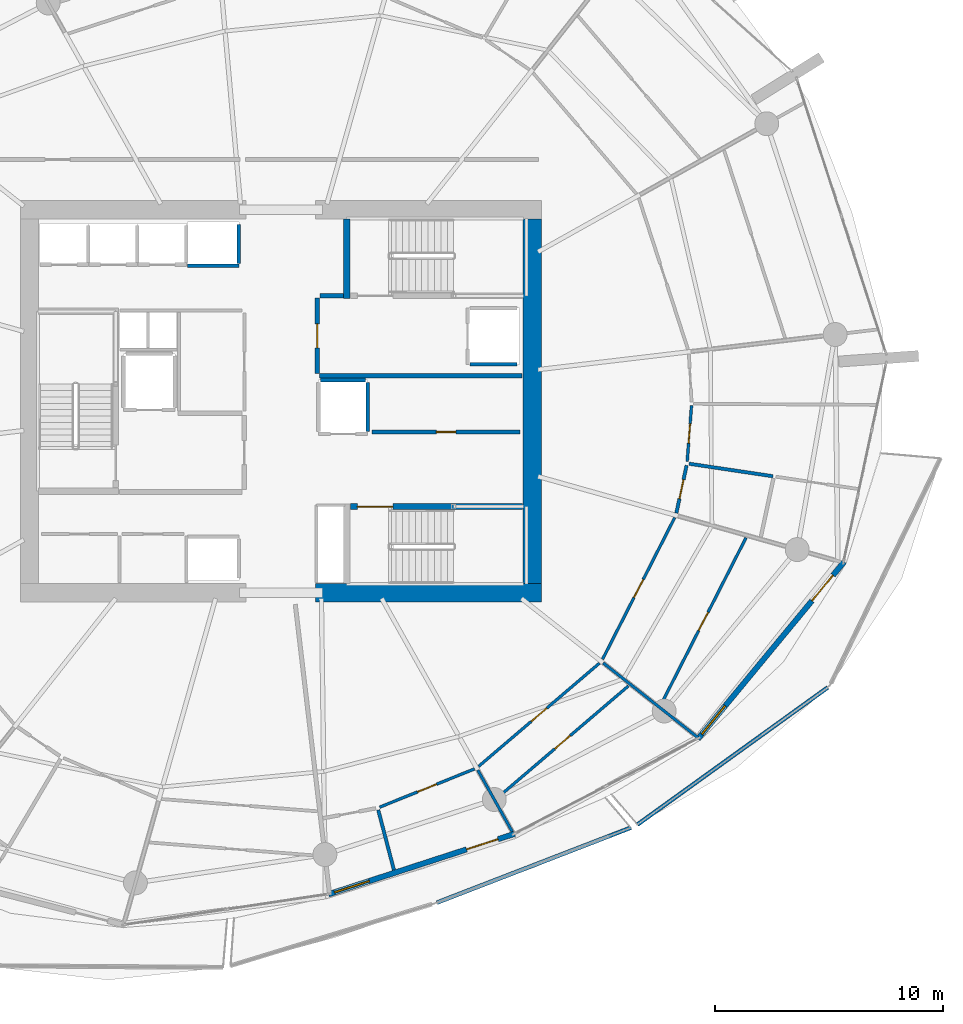
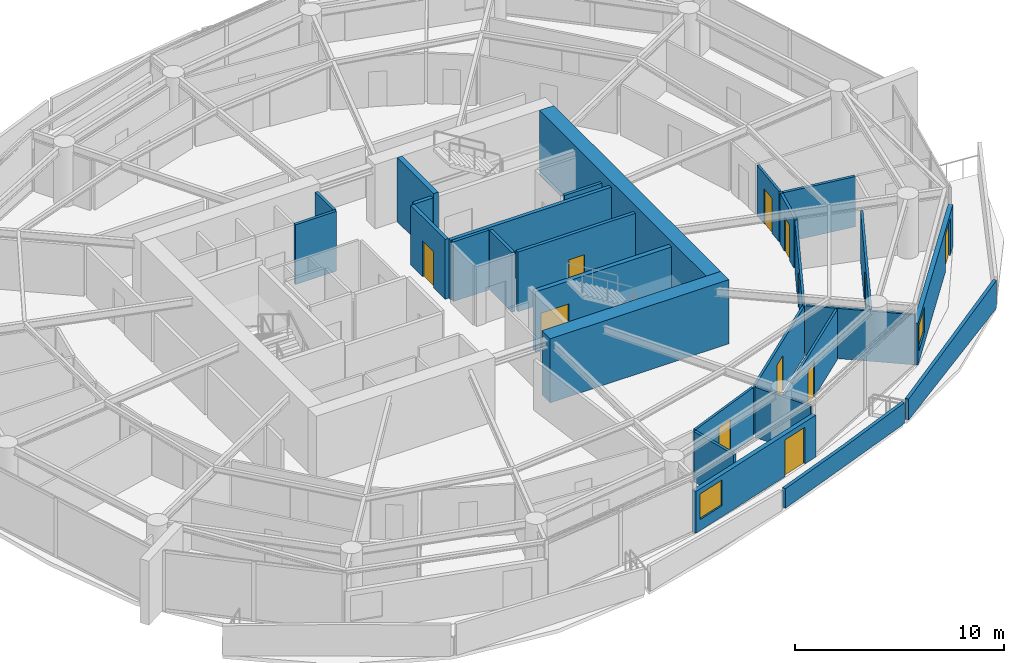
# One storey, part 13 of 20: 28 walls, 12 doors, 2 windows, 14 openings.
"""IFC4 building model written with IfcOpenShell, lengths in metres."""

from ifc_helpers import new_model, si_unit, direction, frame, frame_2d, origin, place, context, subcontext, project, spatial, polyline, rectangle, outline, extrude, material, layer, layer_set, type_object, element, fill, save


model = new_model("IFC4")

# Units and contexts
model_context = context("Model", 3, precision=1e-05, world=origin(), true_north=direction((0.0, 1.0)))
body_context = subcontext(model_context, "Body", "Model", "MODEL_VIEW")
ifc_project = project(units=[si_unit("LENGTHUNIT", "METRE"), si_unit("AREAUNIT", "SQUARE_METRE"), si_unit("VOLUMEUNIT", "CUBIC_METRE"), si_unit("PLANEANGLEUNIT", "RADIAN"), si_unit("MASSUNIT", "GRAM", prefix="KILO")], contexts=[model_context])

# Site, building, storey
site_placement = place(None, origin())
site = spatial("IfcSite", under=ifc_project, at=site_placement, CompositionType="ELEMENT")
building_placement = place(site_placement, origin())
building = spatial("IfcBuilding", under=site, at=building_placement, Name="Kazma Halo Residences", CompositionType="ELEMENT")
storey_placement = place(building_placement, frame((0.0, 0.0, 150.300048828125)))
storey = spatial("IfcBuildingStorey", under=building, at=storey_placement, Name="L37", CompositionType="ELEMENT", Elevation=150.300048828125)

# Walls
ifc_material_1 = material(Name="White Concrete C50/60 Balustrade", Category="concrete")
ifc_layer_1 = layer(ifc_material_1, 0.179931640625)
ifc_layer_set_1 = layer_set([ifc_layer_1], Name="White Concrete C50/60 Balustrade")
wall_type_1 = type_object("IfcWallType", Name="WL-BAL-WAVE-180", PredefinedType="PARAPET", material=ifc_layer_set_1)
wall_1_placement = place(storey_placement, frame((55.27099609375, 20.010009765625, 0.0), z_axis=(0.0, 0.0, 1.0), x_axis=(0.932748827034, 0.360526872322, 0.0)))
element("IfcWall", 1, at=wall_1_placement, inside=storey, type_object=wall_type_1, Name="L37 white wave balustrade wall SSE.2", PredefinedType="PARAPET", context=body_context, shape_type="SweptSolid", body=[
    extrude(outline(polyline([(0.0, 0.0), (9.118896484375, 0.0), (9.118896484375, 1.223876953125), (4.5595703125, 1.126953125), (0.0, 1.14794921875), (0.0, 0.0)])), frame((0.0, 0.08984375, 0.0), z_axis=(0.0, -1.0, 0.0), x_axis=(1.0, 0.0, 0.0)), (0.0, 0.0, 1.0), 0.179931640625),
])
wall_2_placement = place(storey_placement, frame((64.0576171875, 23.4296875, 0.0), z_axis=(0.0, 0.0, 1.0), x_axis=(0.811363748486, 0.584541587608, 0.0)))
element("IfcWall", 2, at=wall_2_placement, inside=storey, type_object=wall_type_1, Name="L37 white wave balustrade wall SE.1", PredefinedType="PARAPET", context=body_context, shape_type="SweptSolid", body=[
    extrude(outline(polyline([(0.0, 0.0), (10.2900390625, 0.0), (10.289794921875, 1.6318359375), (5.14501953125, 1.41796875), (0.0, 1.23291015625), (0.0, 0.0)])), frame((0.0, 0.08984375, 0.0), z_axis=(0.0, -1.0, 0.0), x_axis=(1.0, 0.0, 0.0)), (0.0, 0.0, 1.0), 0.179931640625),
])
ifc_material_2 = material(Name="Concrete C80/95", Category="concrete")
ifc_layer_2 = layer(ifc_material_2, 0.800048828125)
ifc_layer_set_2 = layer_set([ifc_layer_2], Name="Concrete C80/95")
wall_type_2 = type_object("IfcWallType", Name="WL-CORE-800", PredefinedType="SHEAR", material=ifc_layer_set_2)
wall_3_placement = place(storey_placement, frame((49.949951171875, 33.60009765625, 0.0), z_axis=(0.0, 0.0, 1.0), x_axis=(1.0, 0.0, 0.0)))
element("IfcWall", 3, at=wall_3_placement, inside=storey, type_object=wall_type_2, Name="L37 central core shear wall SE", PredefinedType="SHEAR", context=body_context, shape_type="SweptSolid", body=[
    extrude(rectangle(XDim=9.900146484375, YDim=0.800048828125, at=frame_2d((4.9501953125, 0.0))), origin(), (0.0, 0.0, 1.0), 3.75),
])
wall_4_placement = place(storey_placement, frame((59.449951171875, 34.0, 0.0), z_axis=(0.0, 0.0, 1.0), x_axis=(0.0, 1.0, 0.0)))
element("IfcWall", 4, at=wall_4_placement, inside=storey, type_object=wall_type_2, Name="L37 central core shear wall E", PredefinedType="SHEAR", context=body_context, shape_type="SweptSolid", body=[
    extrude(rectangle(XDim=16.0, YDim=0.800048828125, at=frame_2d((8.0, 0.0))), origin(), (0.0, 0.0, 1.0), 3.75),
])
ifc_material_3 = material(Name="Concrete C60/75", Category="concrete")
ifc_layer_3 = layer(ifc_material_3, 0.280029296875)
ifc_layer_set_3 = layer_set([ifc_layer_3], Name="Concrete C60/75")
wall_type_3 = type_object("IfcWallType", Name="WL-CORE-ST-280", PredefinedType="SHEAR", material=ifc_layer_set_3)
wall_5_placement = place(storey_placement, frame((51.31005859375, 46.5, 0.0), z_axis=(0.0, 0.0, 1.0), x_axis=(0.0, 1.0, 0.0)))
element("IfcWall", 5, at=wall_5_placement, inside=storey, type_object=wall_type_3, Name="L37 stairwell bearing wall ST02-W", PredefinedType="SHEAR", context=body_context, shape_type="SweptSolid", body=[
    extrude(rectangle(XDim=3.5, YDim=0.280029296875, at=frame_2d((1.75, 0.0))), origin(), (0.0, 0.0, 1.0), 3.75),
])

# Wall, openings, door, window
ifc_material_4 = material(Name="Insulated Pale-Metal Composite Wall")
ifc_layer_4 = layer(ifc_material_4, 0.239990234375)
ifc_layer_set_4 = layer_set([ifc_layer_4], Name="Insulated Pale-Metal Composite Wall")
wall_type_4 = type_object("IfcWallType", Name="WL-EXT-HOST-240", PredefinedType="SOLIDWALL", material=ifc_layer_set_4)
wall_6_placement = place(storey_placement, frame((50.510009765625, 20.375732421875, 0.0), z_axis=(0.0, 0.0, 1.0), x_axis=(0.951046390632, 0.309048156224, 0.0)))
wall_6 = element("IfcWall", 6, at=wall_6_placement, inside=storey, type_object=wall_type_4, Name="L37 exterior terrace-access wall B12", PredefinedType="SOLIDWALL", context=body_context, shape_type="SweptSolid", body=[
    extrude(rectangle(XDim=8.590087890625, YDim=0.239990234375, at=frame_2d((4.294921875, 0.0))), origin(), (0.0, 0.0, 1.0), 2.449951171875),
])
opening_1_placement = place(wall_6_placement, frame((6.370361328125, 0.0, 0.0)))
opening_1 = element("IfcOpeningElement", 7, at=opening_1_placement, cuts=wall_6, Name="Opening DTR-1600", PredefinedType="OPENING", context=body_context, shape_type="SweptSolid", body=[
    extrude(rectangle(XDim=1.449951171875, YDim=2.14990234375, at=frame_2d((0.72509765625, 1.074951171875))), frame((0.0, 0.1298828125, 0.0), z_axis=(0.0, -1.0, 0.0), x_axis=(1.0, 0.0, 0.0)), (0.0, 0.0, 1.0), 0.260009765625),
])
opening_2_placement = place(wall_6_placement, frame((0.280029296875, 0.0, 0.64990234375)))
opening_2 = element("IfcOpeningElement", 8, at=opening_2_placement, cuts=wall_6, Name="Opening W-1800", PredefinedType="OPENING", context=body_context, shape_type="SweptSolid", body=[
    extrude(rectangle(XDim=1.60009765625, YDim=1.5, at=frame_2d((0.800048828125, 0.75))), frame((0.0, 0.1298828125, 0.0), z_axis=(0.0, -1.0, 0.0), x_axis=(1.0, 0.0, 0.0)), (0.0, 0.0, 1.0), 0.260009765625),
])
ifc_material_5 = material(Name="Aluminium AW-6063 T6 Double-Glazed Terrace Door", Category="aluminium")
door_type_1 = type_object("IfcDoorType", Name="DR-EXT-TERR-1600", OperationType="NOTDEFINED", PredefinedType="DOOR", material=ifc_material_5)
door_1_placement = place(opening_1_placement, origin())
door_1 = element("IfcDoor", 9, at=door_1_placement, inside=storey, type_object=door_type_1, Name="L37 B12 balcony terrace door", OperationType="DOUBLE_DOOR_SLIDING", OverallHeight=2.14990234375, OverallWidth=1.449951171875, PredefinedType="DOOR", context=body_context, shape_type="SweptSolid", body=[
    extrude(rectangle(XDim=1.449951171875, YDim=2.14990234375, at=frame_2d((0.72509765625, 1.074951171875))), frame((0.0, 0.02490234375, 0.0), z_axis=(0.0, -1.0, 0.0), x_axis=(1.0, 0.0, 0.0)), (0.0, 0.0, 1.0), 0.050048828125),
])
fill(opening_1, door_1)
ifc_material_6 = material(Name="Clear Triple-Silver Low-E Glass in Aluminium AW-6063 T6 Frame", Category="aluminium")
window_type = type_object("IfcWindowType", Name="WIN-RES-1800", PartitioningType="DOUBLE_PANEL_VERTICAL", PredefinedType="WINDOW", material=ifc_material_6)
window_1_placement = place(opening_2_placement, origin())
window_1 = element("IfcWindow", 10, at=window_1_placement, inside=storey, type_object=window_type, Name="L37 B12 apartment window", OverallHeight=1.5, OverallWidth=1.60009765625, PartitioningType="SINGLE_PANEL", PredefinedType="WINDOW", context=body_context, shape_type="SweptSolid", body=[
    extrude(rectangle(XDim=1.60009765625, YDim=1.5, at=frame_2d((0.800048828125, 0.75))), frame((0.0, 0.030029296875, 0.0), z_axis=(0.0, -1.0, 0.0), x_axis=(1.0, 0.0, 0.0)), (0.0, 0.0, 1.0), 0.06005859375),
])
fill(opening_2, window_1)

wall_7_placement = place(storey_placement, frame((66.70947265625, 27.18701171875, 0.0), z_axis=(0.0, 0.0, 1.0), x_axis=(0.636771922292, 0.77105221547, 0.0)))
wall_7 = element("IfcWall", 11, at=wall_7_placement, inside=storey, type_object=wall_type_4, Name="L37 exterior terrace-access wall B14", PredefinedType="SOLIDWALL", context=body_context, shape_type="SweptSolid", body=[
    extrude(rectangle(XDim=10.08154296875, YDim=0.239990234375, at=frame_2d((5.040771484375, 0.0))), origin(), (0.0, 0.0, 1.0), 2.449951171875),
])
opening_3_placement = place(wall_7_placement, frame((7.861572265625, 0.0, 0.0)))
opening_3 = element("IfcOpeningElement", 12, at=opening_3_placement, cuts=wall_7, Name="Opening DTR-1600", PredefinedType="OPENING", context=body_context, shape_type="SweptSolid", body=[
    extrude(rectangle(XDim=1.449951171875, YDim=2.14990234375, at=frame_2d((0.72509765625, 1.074951171875))), frame((0.0, 0.1298828125, 0.0), z_axis=(0.0, -1.0, 0.0), x_axis=(1.0, 0.0, 0.0)), (0.0, 0.0, 1.0), 0.260009765625),
])
opening_4_placement = place(wall_7_placement, frame((0.280029296875, 0.0, 0.64990234375)))
opening_4 = element("IfcOpeningElement", 13, at=opening_4_placement, cuts=wall_7, Name="Opening W-1800", PredefinedType="OPENING", context=body_context, shape_type="SweptSolid", body=[
    extrude(rectangle(XDim=1.60009765625, YDim=1.5, at=frame_2d((0.800048828125, 0.75))), frame((0.0, 0.1298828125, 0.0), z_axis=(0.0, -1.0, 0.0), x_axis=(1.0, 0.0, 0.0)), (0.0, 0.0, 1.0), 0.260009765625),
])
door_2_placement = place(opening_3_placement, origin())
door_2 = element("IfcDoor", 14, at=door_2_placement, inside=storey, type_object=door_type_1, Name="L37 B14 balcony terrace door", OperationType="DOUBLE_DOOR_SLIDING", OverallHeight=2.14990234375, OverallWidth=1.449951171875, PredefinedType="DOOR", context=body_context, shape_type="SweptSolid", body=[
    extrude(rectangle(XDim=1.449951171875, YDim=2.14990234375, at=frame_2d((0.72509765625, 1.074951171875))), frame((0.0, 0.02490234375, 0.0), z_axis=(0.0, -1.0, 0.0), x_axis=(1.0, 0.0, 0.0)), (0.0, 0.0, 1.0), 0.050048828125),
])
fill(opening_3, door_2)
window_2_placement = place(opening_4_placement, origin())
window_2 = element("IfcWindow", 15, at=window_2_placement, inside=storey, type_object=window_type, Name="L37 B14 apartment window", OverallHeight=1.5, OverallWidth=1.60009765625, PartitioningType="SINGLE_PANEL", PredefinedType="WINDOW", context=body_context, shape_type="SweptSolid", body=[
    extrude(rectangle(XDim=1.60009765625, YDim=1.5, at=frame_2d((0.800048828125, 0.75))), frame((0.0, 0.030029296875, 0.0), z_axis=(0.0, -1.0, 0.0), x_axis=(1.0, 0.0, 0.0)), (0.0, 0.0, 1.0), 0.06005859375),
])
fill(opening_4, window_2)

# Walls
ifc_material_7 = material(Name="Fire-Rated Blockwork Masonry", Category="masonry")
ifc_layer_5 = layer(ifc_material_7, 0.199951171875)
ifc_layer_set_5 = layer_set([ifc_layer_5], Name="Fire-Rated Blockwork Masonry")
wall_type_5 = type_object("IfcWallType", Name="WL-FLB-200", PredefinedType="PARTITIONING", material=ifc_layer_set_5)
wall_8_placement = place(storey_placement, frame((46.580078125, 47.945068359375, 0.0), z_axis=(0.0, 0.0, 1.0), x_axis=(-1.0, 0.0, 0.0)))
element("IfcWall", 16, at=wall_8_placement, inside=storey, type_object=wall_type_5, Name="L37 lift shaft PX-01 front wall", PredefinedType="PARTITIONING", context=body_context, shape_type="SweptSolid", body=[
    extrude(rectangle(XDim=2.260009765625, YDim=0.159912109375, at=frame_2d((1.1298828125, 0.0))), origin(), (0.0, 0.0, 1.0), 3.5),
])
wall_9_placement = place(storey_placement, frame((46.580078125, 48.044921875, 0.0), z_axis=(0.0, 0.0, 1.0), x_axis=(0.0, 1.0, 0.0)))
element("IfcWall", 17, at=wall_9_placement, inside=storey, type_object=wall_type_5, Name="L37 lift shaft PX-01 side wall E", PredefinedType="PARTITIONING", context=body_context, shape_type="SweptSolid", body=[
    extrude(rectangle(XDim=1.7099609375, YDim=0.159912109375, at=frame_2d((0.85498046875, 0.0))), origin(), (0.0, 0.0, 1.0), 3.5),
])
wall_10_placement = place(storey_placement, frame((56.719970703125, 43.6201171875, 0.0), z_axis=(0.0, 0.0, 1.0), x_axis=(1.0, 0.0, 0.0)))
element("IfcWall", 18, at=wall_10_placement, inside=storey, type_object=wall_type_5, Name="L37 lift shaft FL-02 side wall S", PredefinedType="PARTITIONING", context=body_context, shape_type="SweptSolid", body=[
    extrude(rectangle(XDim=2.06005859375, YDim=0.159912109375, at=frame_2d((1.030029296875, 0.0))), origin(), (0.0, 0.0, 1.0), 3.5),
])
wall_11_placement = place(storey_placement, frame((52.22998046875, 40.669921875, 0.0), z_axis=(0.0, 0.0, 1.0), x_axis=(0.0, 1.0, 0.0)))
element("IfcWall", 19, at=wall_11_placement, inside=storey, type_object=wall_type_5, Name="L37 lift shaft SV-01 side wall E", PredefinedType="PARTITIONING", context=body_context, shape_type="SweptSolid", body=[
    extrude(rectangle(XDim=2.16015625, YDim=0.159912109375, at=frame_2d((1.080078125, 0.0))), origin(), (0.0, 0.0, 1.0), 3.5),
])
wall_12_placement = place(storey_placement, frame((50.169921875, 42.929931640625, 0.0), z_axis=(0.0, 0.0, 1.0), x_axis=(1.0, 0.0, 0.0)))
element("IfcWall", 20, at=wall_12_placement, inside=storey, type_object=wall_type_5, Name="L37 lift shaft SV-01 side wall N", PredefinedType="PARTITIONING", context=body_context, shape_type="SweptSolid", body=[
    extrude(rectangle(XDim=1.9599609375, YDim=0.159912109375, at=frame_2d((0.97998046875, 0.0))), origin(), (0.0, 0.0, 1.0), 3.5),
])

# Wall, opening, door
wall_13_placement = place(storey_placement, frame((52.419921875, 40.64990234375, 0.0), z_axis=(0.0, 0.0, 1.0), x_axis=(1.0, 0.0, 0.0)))
wall_13 = element("IfcWall", 21, at=wall_13_placement, inside=storey, type_object=wall_type_5, Name="L37 core east reserve wall", PredefinedType="PARTITIONING", context=body_context, shape_type="SweptSolid", body=[
    extrude(rectangle(XDim=6.5, YDim=0.179931640625, at=frame_2d((3.25, 0.0))), origin(), (0.0, 0.0, 1.0), 3.5),
])
opening_5_placement = place(wall_13_placement, frame((2.824951171875, 0.0, 0.0)))
opening_5 = element("IfcOpeningElement", 22, at=opening_5_placement, cuts=wall_13, Name="Opening DS-850", PredefinedType="OPENING", context=body_context, shape_type="SweptSolid", body=[
    extrude(rectangle(XDim=0.85009765625, YDim=2.06005859375, at=frame_2d((0.425048828125, 1.030029296875))), frame((0.0, 0.099853515625, 0.0), z_axis=(0.0, -1.0, 0.0), x_axis=(1.0, 0.0, 0.0)), (0.0, 0.0, 1.0), 0.199951171875),
])
ifc_material_8 = material(Name="Painted Steel Access Leaf", Category="steel")
door_type_2 = type_object("IfcDoorType", Name="DR-SVC-850", OperationType="NOTDEFINED", PredefinedType="DOOR", material=ifc_material_8)
door_3_placement = place(opening_5_placement, origin())
door_3 = element("IfcDoor", 23, at=door_3_placement, inside=storey, type_object=door_type_2, Name="L37 core east reserve door", OperationType="SINGLE_SWING_RIGHT", OverallHeight=2.06005859375, OverallWidth=0.85009765625, PredefinedType="DOOR", context=body_context, shape_type="SweptSolid", body=[
    extrude(rectangle(XDim=0.85009765625, YDim=2.06005859375, at=frame_2d((0.425048828125, 1.030029296875))), frame((0.0, 0.02490234375, 0.0), z_axis=(0.0, -1.0, 0.0), x_axis=(1.0, 0.0, 0.0)), (0.0, 0.0, 1.0), 0.050048828125),
])
fill(opening_5, door_3)

# Walls
wall_14_placement = place(storey_placement, frame((50.1201171875, 43.1201171875, 0.0), z_axis=(0.0, 0.0, 1.0), x_axis=(1.0, 0.0, 0.0)))
element("IfcWall", 24, at=wall_14_placement, inside=storey, type_object=wall_type_5, Name="L37 east firefighting lobby south smoke wall", PredefinedType="PARTITIONING", context=body_context, shape_type="SweptSolid", body=[
    extrude(rectangle(XDim=8.8798828125, YDim=0.199951171875, at=frame_2d((4.43994140625, 0.0))), origin(), (0.0, 0.0, 1.0), 3.5),
])
wall_15_placement = place(storey_placement, frame((50.139892578125, 46.6201171875, 0.0), z_axis=(0.0, 0.0, 1.0), x_axis=(1.0, 0.0, 0.0)))
element("IfcWall", 25, at=wall_15_placement, inside=storey, type_object=wall_type_5, Name="L37 east firefighting lobby north closure wall", PredefinedType="PARTITIONING", context=body_context, shape_type="SweptSolid", body=[
    extrude(rectangle(XDim=1.02001953125, YDim=0.199951171875, at=frame_2d((0.510009765625, 0.0))), origin(), (0.0, 0.0, 1.0), 3.5),
])

# Wall, opening, door
wall_16_placement = place(storey_placement, frame((50.02001953125, 43.219970703125, 0.0), z_axis=(0.0, 0.0, 1.0), x_axis=(0.0, 1.0, 0.0)))
wall_16 = element("IfcWall", 26, at=wall_16_placement, inside=storey, type_object=wall_type_5, Name="L37 east firefighting lobby smoke wall", PredefinedType="PARTITIONING", context=body_context, shape_type="SweptSolid", body=[
    extrude(rectangle(XDim=3.300048828125, YDim=0.199951171875, at=frame_2d((1.64990234375, 0.0))), origin(), (0.0, 0.0, 1.0), 3.5),
])
opening_6_placement = place(wall_16_placement, frame((1.125, 0.0, 0.0)))
opening_6 = element("IfcOpeningElement", 27, at=opening_6_placement, cuts=wall_16, Name="Opening D-FLE", PredefinedType="OPENING", context=body_context, shape_type="SweptSolid", body=[
    extrude(rectangle(XDim=1.050048828125, YDim=2.10009765625, at=frame_2d((0.52490234375, 1.050048828125))), frame((0.0, 0.10986328125, 0.0), z_axis=(0.0, -1.0, 0.0), x_axis=(1.0, 0.0, 0.0)), (0.0, 0.0, 1.0), 0.219970703125),
])
ifc_material_9 = material(Name="Fire-Rated Steel Leaf", Category="steel")
door_type_3 = type_object("IfcDoorType", Name="DR-FD90-1050", OperationType="NOTDEFINED", PredefinedType="DOOR", material=ifc_material_9)
door_4_placement = place(opening_6_placement, origin())
door_4 = element("IfcDoor", 28, at=door_4_placement, inside=storey, type_object=door_type_3, Name="L37 east firefighting lobby smoke door", OperationType="SINGLE_SWING_LEFT", OverallHeight=2.10009765625, OverallWidth=1.050048828125, PredefinedType="DOOR", context=body_context, shape_type="SweptSolid", body=[
    extrude(rectangle(XDim=1.050048828125, YDim=2.10009765625, at=frame_2d((0.52490234375, 1.050048828125))), frame((0.0, 0.02490234375, 0.0), z_axis=(0.0, -1.0, 0.0), x_axis=(1.0, 0.0, 0.0)), (0.0, 0.0, 1.0), 0.050048828125),
])
fill(opening_6, door_4)

ifc_material_10 = material(Name="Gypsum Plasterboard Partition")
ifc_layer_6 = layer(ifc_material_10, 0.125)
ifc_layer_set_6 = layer_set([ifc_layer_6], Name="Gypsum Plasterboard Partition")
wall_type_6 = type_object("IfcWallType", Name="WL-PART-125", PredefinedType="PARTITIONING", material=ifc_layer_set_6)
wall_17_placement = place(storey_placement, frame((52.753173828125, 24.19580078125, 0.0), z_axis=(0.0, 0.0, 1.0), x_axis=(0.927460636041, 0.373920805243, 0.0)))
wall_17 = element("IfcWall", 29, at=wall_17_placement, inside=storey, type_object=wall_type_6, Name="L37 Apartment 2 Gourmet Kitchen hall wall", PredefinedType="PARTITIONING", context=body_context, shape_type="SweptSolid", body=[
    extrude(rectangle(XDim=4.489501953125, YDim=0.125, at=frame_2d((2.24462890625, 0.0))), origin(), (0.0, 0.0, 1.0), 2.93994140625),
])
opening_7_placement = place(wall_17_placement, frame((1.794677734375, 0.0, 0.0)))
opening_7 = element("IfcOpeningElement", 30, at=opening_7_placement, cuts=wall_17, Name="Opening DI-950", PredefinedType="OPENING", context=body_context, shape_type="SweptSolid", body=[
    extrude(rectangle(XDim=0.89990234375, YDim=2.080078125, at=frame_2d((0.449951171875, 1.0400390625))), frame((0.0, 0.072509765625, 0.0), z_axis=(0.0, -1.0, 0.0), x_axis=(1.0, 0.0, 0.0)), (0.0, 0.0, 1.0), 0.14501953125),
])
ifc_material_11 = material(Name="Timber Veneer Flush Leaf", Category="wood")
door_type_4 = type_object("IfcDoorType", Name="DR-INT-950", OperationType="NOTDEFINED", PredefinedType="DOOR", material=ifc_material_11)
door_5_placement = place(opening_7_placement, origin())
door_5 = element("IfcDoor", 31, at=door_5_placement, inside=storey, type_object=door_type_4, Name="L37 Apartment 2 Gourmet Kitchen door", OperationType="SINGLE_SWING_LEFT", OverallHeight=2.080078125, OverallWidth=0.89990234375, PredefinedType="DOOR", context=body_context, shape_type="SweptSolid", body=[
    extrude(rectangle(XDim=0.89990234375, YDim=2.080078125, at=frame_2d((0.449951171875, 1.0400390625))), frame((0.0, 0.02490234375, 0.0), z_axis=(0.0, -1.0, 0.0), x_axis=(1.0, 0.0, 0.0)), (0.0, 0.0, 1.0), 0.050048828125),
])
fill(opening_7, door_5)

# Wall
wall_18_placement = place(storey_placement, frame((57.05859375, 25.82470703125, 0.0), z_axis=(0.0, 0.0, 1.0), x_axis=(0.488620181058, -0.872496600946, 0.0)))
element("IfcWall", 32, at=wall_18_placement, inside=storey, type_object=wall_type_6, Name="L37 Apartment 2 radial partition 12", PredefinedType="PARTITIONING", context=body_context, shape_type="SweptSolid", body=[
    extrude(rectangle(XDim=3.095458984375, YDim=0.125, at=frame_2d((1.5478515625, 0.0))), origin(), (0.0, 0.0, 1.0), 2.93994140625),
])

# Wall, opening, door
wall_19_placement = place(storey_placement, frame((57.09326171875, 25.9833984375, 0.0), z_axis=(0.0, 0.0, 1.0), x_axis=(0.76040680935, 0.649447060425, 0.0)))
wall_19 = element("IfcWall", 33, at=wall_19_placement, inside=storey, type_object=wall_type_6, Name="L37 Apartment 2 Primary Study hall wall", PredefinedType="PARTITIONING", context=body_context, shape_type="SweptSolid", body=[
    extrude(rectangle(XDim=6.974853515625, YDim=0.125, at=frame_2d((3.4873046875, 0.0))), origin(), (0.0, 0.0, 1.0), 2.93994140625),
])
opening_8_placement = place(wall_19_placement, frame((3.037353515625, 0.0, 0.0)))
opening_8 = element("IfcOpeningElement", 34, at=opening_8_placement, cuts=wall_19, Name="Opening DI-950", PredefinedType="OPENING", context=body_context, shape_type="SweptSolid", body=[
    extrude(rectangle(XDim=0.89990234375, YDim=2.080078125, at=frame_2d((0.449951171875, 1.0400390625))), frame((0.0, 0.072509765625, 0.0), z_axis=(0.0, -1.0, 0.0), x_axis=(1.0, 0.0, 0.0)), (0.0, 0.0, 1.0), 0.14501953125),
])
door_6_placement = place(opening_8_placement, origin())
door_6 = element("IfcDoor", 35, at=door_6_placement, inside=storey, type_object=door_type_4, Name="L37 Apartment 2 Primary Study door", OperationType="SINGLE_SWING_RIGHT", OverallHeight=2.080078125, OverallWidth=0.89990234375, PredefinedType="DOOR", context=body_context, shape_type="SweptSolid", body=[
    extrude(rectangle(XDim=0.89990234375, YDim=2.080078125, at=frame_2d((0.449951171875, 1.0400390625))), frame((0.0, 0.02490234375, 0.0), z_axis=(0.0, -1.0, 0.0), x_axis=(1.0, 0.0, 0.0)), (0.0, 0.0, 1.0), 0.050048828125),
])
fill(opening_8, door_6)

wall_20_placement = place(storey_placement, frame((57.88232421875, 24.574462890625, 0.0), z_axis=(0.0, 0.0, 1.0), x_axis=(0.760417937401, 0.649434030891, 0.0)))
wall_20 = element("IfcWall", 36, at=wall_20_placement, inside=storey, type_object=wall_type_6, Name="L37 Apartment 2 Secondary Bedroom divider wall", PredefinedType="PARTITIONING", context=body_context, shape_type="SweptSolid", body=[
    extrude(rectangle(XDim=7.604736328125, YDim=0.125, at=frame_2d((3.80224609375, 0.0))), origin(), (0.0, 0.0, 1.0), 2.93994140625),
])
opening_9_placement = place(wall_20_placement, frame((3.352294921875, 0.0, 0.0)))
opening_9 = element("IfcOpeningElement", 37, at=opening_9_placement, cuts=wall_20, Name="Opening DI-950", PredefinedType="OPENING", context=body_context, shape_type="SweptSolid", body=[
    extrude(rectangle(XDim=0.89990234375, YDim=2.080078125, at=frame_2d((0.449951171875, 1.0400390625))), frame((0.0, 0.072509765625, 0.0), z_axis=(0.0, -1.0, 0.0), x_axis=(1.0, 0.0, 0.0)), (0.0, 0.0, 1.0), 0.14501953125),
])
door_7_placement = place(opening_9_placement, origin())
door_7 = element("IfcDoor", 38, at=door_7_placement, inside=storey, type_object=door_type_4, Name="L37 Apartment 2 Secondary Bedroom door", OperationType="SINGLE_SWING_LEFT", OverallHeight=2.080078125, OverallWidth=0.89990234375, PredefinedType="DOOR", context=body_context, shape_type="SweptSolid", body=[
    extrude(rectangle(XDim=0.89990234375, YDim=2.080078125, at=frame_2d((0.449951171875, 1.0400390625))), frame((0.0, 0.02490234375, 0.0), z_axis=(0.0, -1.0, 0.0), x_axis=(1.0, 0.0, 0.0)), (0.0, 0.0, 1.0), 0.050048828125),
])
fill(opening_9, door_7)

# Wall
wall_21_placement = place(storey_placement, frame((62.55908203125, 30.522705078125, 0.0), z_axis=(0.0, 0.0, 1.0), x_axis=(0.785319981095, -0.619090080112, 0.0)))
element("IfcWall", 39, at=wall_21_placement, inside=storey, type_object=wall_type_6, Name="L37 Apartment 2 radial partition 13", PredefinedType="PARTITIONING", context=body_context, shape_type="SweptSolid", body=[
    extrude(rectangle(XDim=5.300537109375, YDim=0.125, at=frame_2d((2.650390625, 0.0))), origin(), (0.0, 0.0, 1.0), 2.93994140625),
])

# Wall, opening, door
wall_22_placement = place(storey_placement, frame((62.530517578125, 30.6826171875, 0.0), z_axis=(0.0, 0.0, 1.0), x_axis=(0.453977694262, 0.891013048789, 0.0)))
wall_22 = element("IfcWall", 40, at=wall_22_placement, inside=storey, type_object=wall_type_6, Name="L37 Apartment 2 East Study hall wall", PredefinedType="PARTITIONING", context=body_context, shape_type="SweptSolid", body=[
    extrude(rectangle(XDim=6.974365234375, YDim=0.125, at=frame_2d((3.4873046875, 0.0))), origin(), (0.0, 0.0, 1.0), 2.93994140625),
])
opening_10_placement = place(wall_22_placement, frame((3.037353515625, 0.0, 0.0)))
opening_10 = element("IfcOpeningElement", 41, at=opening_10_placement, cuts=wall_22, Name="Opening DI-950", PredefinedType="OPENING", context=body_context, shape_type="SweptSolid", body=[
    extrude(rectangle(XDim=0.89990234375, YDim=2.080078125, at=frame_2d((0.449951171875, 1.0400390625))), frame((0.0, 0.072509765625, 0.0), z_axis=(0.0, -1.0, 0.0), x_axis=(1.0, 0.0, 0.0)), (0.0, 0.0, 1.0), 0.14501953125),
])
door_8_placement = place(opening_10_placement, origin())
door_8 = element("IfcDoor", 42, at=door_8_placement, inside=storey, type_object=door_type_4, Name="L37 Apartment 2 East Study door", OperationType="SINGLE_SWING_LEFT", OverallHeight=2.080078125, OverallWidth=0.89990234375, PredefinedType="DOOR", context=body_context, shape_type="SweptSolid", body=[
    extrude(rectangle(XDim=0.89990234375, YDim=2.080078125, at=frame_2d((0.449951171875, 1.0400390625))), frame((0.0, 0.02490234375, 0.0), z_axis=(0.0, -1.0, 0.0), x_axis=(1.0, 0.0, 0.0)), (0.0, 0.0, 1.0), 0.050048828125),
])
fill(opening_10, door_8)

wall_23_placement = place(storey_placement, frame((65.081787109375, 28.671142578125, 0.0), z_axis=(0.0, 0.0, 1.0), x_axis=(0.454001657521, 0.891000838927, 0.0)))
wall_23 = element("IfcWall", 43, at=wall_23_placement, inside=storey, type_object=wall_type_6, Name="L37 Apartment 2 West Bedroom divider wall", PredefinedType="PARTITIONING", context=body_context, shape_type="SweptSolid", body=[
    extrude(rectangle(XDim=8.2421875, YDim=0.125, at=frame_2d((4.12109375, 0.0))), origin(), (0.0, 0.0, 1.0), 2.93994140625),
])
opening_11_placement = place(wall_23_placement, frame((3.671142578125, 0.0, 0.0)))
opening_11 = element("IfcOpeningElement", 44, at=opening_11_placement, cuts=wall_23, Name="Opening DI-950", PredefinedType="OPENING", context=body_context, shape_type="SweptSolid", body=[
    extrude(rectangle(XDim=0.89990234375, YDim=2.080078125, at=frame_2d((0.449951171875, 1.0400390625))), frame((0.0, 0.072509765625, 0.0), z_axis=(0.0, -1.0, 0.0), x_axis=(1.0, 0.0, 0.0)), (0.0, 0.0, 1.0), 0.14501953125),
])
door_9_placement = place(opening_11_placement, origin())
door_9 = element("IfcDoor", 45, at=door_9_placement, inside=storey, type_object=door_type_4, Name="L37 Apartment 2 West Bedroom door", OperationType="SINGLE_SWING_RIGHT", OverallHeight=2.080078125, OverallWidth=0.89990234375, PredefinedType="DOOR", context=body_context, shape_type="SweptSolid", body=[
    extrude(rectangle(XDim=0.89990234375, YDim=2.080078125, at=frame_2d((0.449951171875, 1.0400390625))), frame((0.0, 0.02490234375, 0.0), z_axis=(0.0, -1.0, 0.0), x_axis=(1.0, 0.0, 0.0)), (0.0, 0.0, 1.0), 0.050048828125),
])
fill(opening_11, door_9)

wall_24_placement = place(storey_placement, frame((66.2431640625, 39.36279296875, 0.0), z_axis=(0.0, 0.0, 1.0), x_axis=(0.077198584258, 0.99701573638, 0.0)))
wall_24 = element("IfcWall", 46, at=wall_24_placement, inside=storey, type_object=wall_type_6, Name="L37 Apartment 2 Inner Private Study hall wall", PredefinedType="PARTITIONING", context=body_context, shape_type="SweptSolid", body=[
    extrude(rectangle(XDim=2.4541015625, YDim=0.125, at=frame_2d((1.22705078125, 0.0))), origin(), (0.0, 0.0, 1.0), 2.93994140625),
])
opening_12_placement = place(wall_24_placement, frame((0.802001953125, 0.0, 0.0)))
opening_12 = element("IfcOpeningElement", 47, at=opening_12_placement, cuts=wall_24, Name="Opening DB-900", PredefinedType="OPENING", context=body_context, shape_type="SweptSolid", body=[
    extrude(rectangle(XDim=0.85009765625, YDim=2.06005859375, at=frame_2d((0.425048828125, 1.030029296875))), frame((0.0, 0.072509765625, 0.0), z_axis=(0.0, -1.0, 0.0), x_axis=(1.0, 0.0, 0.0)), (0.0, 0.0, 1.0), 0.14501953125),
])
ifc_material_12 = material(Name="Moisture-Sealed Timber Leaf", Category="wood")
door_type_5 = type_object("IfcDoorType", Name="DR-BTH-900", OperationType="NOTDEFINED", PredefinedType="DOOR", material=ifc_material_12)
door_10_placement = place(opening_12_placement, origin())
door_10 = element("IfcDoor", 48, at=door_10_placement, inside=storey, type_object=door_type_5, Name="L37 Apartment 2 Inner Private Study door", OperationType="SINGLE_SWING_RIGHT", OverallHeight=2.06005859375, OverallWidth=0.85009765625, PredefinedType="DOOR", context=body_context, shape_type="SweptSolid", body=[
    extrude(rectangle(XDim=0.85009765625, YDim=2.06005859375, at=frame_2d((0.425048828125, 1.030029296875))), frame((0.0, 0.02490234375, 0.0), z_axis=(0.0, -1.0, 0.0), x_axis=(1.0, 0.0, 0.0)), (0.0, 0.0, 1.0), 0.050048828125),
])
fill(opening_12, door_10)

ifc_material_13 = material(Name="Concrete C50/60", Category="concrete")
ifc_layer_7 = layer(ifc_material_13, 0.25)
ifc_layer_set_7 = layer_set([ifc_layer_7], Name="Concrete C50/60")
wall_type_7 = type_object("IfcWallType", Name="WL-SHF-250", PredefinedType="SOLIDWALL", material=ifc_layer_set_7)
wall_25_placement = place(storey_placement, frame((51.47998046875, 37.3798828125, 0.0), z_axis=(0.0, 0.0, 1.0), x_axis=(1.0, 0.0, 0.0)))
wall_25 = element("IfcWall", 49, at=wall_25_placement, inside=storey, type_object=wall_type_7, Name="L37 exit stair ST-03 enclosure wall", PredefinedType="SOLIDWALL", context=body_context, shape_type="SweptSolid", body=[
    extrude(rectangle(XDim=7.5400390625, YDim=0.25, at=frame_2d((3.77001953125, 0.0))), origin(), (0.0, 0.0, 1.0), 3.5),
])
opening_13_placement = place(wall_25_placement, frame((0.300048828125, 0.0, 0.0)))
opening_13 = element("IfcOpeningElement", 50, at=opening_13_placement, cuts=wall_25, Name="Opening D-ST3", PredefinedType="OPENING", context=body_context, shape_type="SweptSolid", body=[
    extrude(rectangle(XDim=1.550048828125, YDim=2.14990234375, at=frame_2d((0.77490234375, 1.074951171875))), frame((0.0, 0.135009765625, 0.0), z_axis=(0.0, -1.0, 0.0), x_axis=(1.0, 0.0, 0.0)), (0.0, 0.0, 1.0), 0.27001953125),
])
ifc_material_14 = material(Name="Fire-Rated Double Steel Leaf", Category="steel")
door_type_6 = type_object("IfcDoorType", Name="DR-FD90-1550", OperationType="NOTDEFINED", PredefinedType="DOOR", material=ifc_material_14)
door_11_placement = place(opening_13_placement, origin())
door_11 = element("IfcDoor", 51, at=door_11_placement, inside=storey, type_object=door_type_6, Name="L37 exit stair ST-03 fire door", OperationType="DOUBLE_DOOR_SINGLE_SWING", OverallHeight=2.14990234375, OverallWidth=1.550048828125, PredefinedType="DOOR", context=body_context, shape_type="SweptSolid", body=[
    extrude(rectangle(XDim=1.550048828125, YDim=2.14990234375, at=frame_2d((0.77490234375, 1.074951171875))), frame((0.0, 0.02490234375, 0.0), z_axis=(0.0, -1.0, 0.0), x_axis=(1.0, 0.0, 0.0)), (0.0, 0.0, 1.0), 0.050048828125),
])
fill(opening_13, door_11)

# Wall
ifc_material_15 = material(Name="Moisture-Resistant Gypsum")
ifc_layer_8 = layer(ifc_material_15, 0.14990234375)
ifc_layer_set_8 = layer_set([ifc_layer_8], Name="Moisture-Resistant Gypsum")
wall_type_8 = type_object("IfcWallType", Name="WL-WET-150", PredefinedType="PARTITIONING", material=ifc_layer_set_8)
wall_26_placement = place(storey_placement, frame((52.6923828125, 24.074951171875, 0.0), z_axis=(0.0, 0.0, 1.0), x_axis=(0.253235556915, -0.967404647867, 0.0)))
element("IfcWall", 52, at=wall_26_placement, inside=storey, type_object=wall_type_8, Name="L37 Apartment 2 Guest Bathroom side wall", PredefinedType="PARTITIONING", context=body_context, shape_type="SweptSolid", body=[
    extrude(rectangle(XDim=2.7236328125, YDim=0.14990234375, at=frame_2d((1.36181640625, 0.0))), origin(), (0.0, 0.0, 1.0), 2.93994140625),
])

# Wall, opening, door
wall_27_placement = place(storey_placement, frame((65.767578125, 37.0927734375, 0.0), z_axis=(0.0, 0.0, 1.0), x_axis=(0.210136736931, 0.977672006243, 0.0)))
wall_27 = element("IfcWall", 53, at=wall_27_placement, inside=storey, type_object=wall_type_8, Name="L37 Apartment 2 North En-Suite Bathroom hall wall", PredefinedType="PARTITIONING", context=body_context, shape_type="SweptSolid", body=[
    extrude(rectangle(XDim=2.14013671875, YDim=0.14990234375, at=frame_2d((1.070068359375, 0.0))), origin(), (0.0, 0.0, 1.0), 2.93994140625),
])
opening_14_placement = place(wall_27_placement, frame((0.64501953125, 0.0, 0.0)))
opening_14 = element("IfcOpeningElement", 54, at=opening_14_placement, cuts=wall_27, Name="Opening DB-900", PredefinedType="OPENING", context=body_context, shape_type="SweptSolid", body=[
    extrude(rectangle(XDim=0.85009765625, YDim=2.06005859375, at=frame_2d((0.425048828125, 1.030029296875))), frame((0.0, 0.0849609375, 0.0), z_axis=(0.0, -1.0, 0.0), x_axis=(1.0, 0.0, 0.0)), (0.0, 0.0, 1.0), 0.169921875),
])
door_12_placement = place(opening_14_placement, origin())
door_12 = element("IfcDoor", 55, at=door_12_placement, inside=storey, type_object=door_type_5, Name="L37 Apartment 2 North En-Suite Bathroom door", OperationType="SINGLE_SWING_RIGHT", OverallHeight=2.06005859375, OverallWidth=0.85009765625, PredefinedType="DOOR", context=body_context, shape_type="SweptSolid", body=[
    extrude(rectangle(XDim=0.85009765625, YDim=2.06005859375, at=frame_2d((0.425048828125, 1.030029296875))), frame((0.0, 0.02490234375, 0.0), z_axis=(0.0, -1.0, 0.0), x_axis=(1.0, 0.0, 0.0)), (0.0, 0.0, 1.0), 0.050048828125),
])
fill(opening_14, door_12)

# Wall
wall_28_placement = place(storey_placement, frame((66.3251953125, 39.259765625, 0.0), z_axis=(0.0, 0.0, 1.0), x_axis=(0.988998843182, -0.147923250997, 0.0)))
element("IfcWall", 56, at=wall_28_placement, inside=storey, type_object=wall_type_8, Name="L37 Apartment 2 North En-Suite Bathroom side wall", PredefinedType="PARTITIONING", context=body_context, shape_type="SweptSolid", body=[
    extrude(rectangle(XDim=3.72021484375, YDim=0.14990234375, at=frame_2d((1.860107421875, 0.0))), origin(), (0.0, 0.0, 1.0), 2.93994140625),
])

save(model, "model.ifc")
